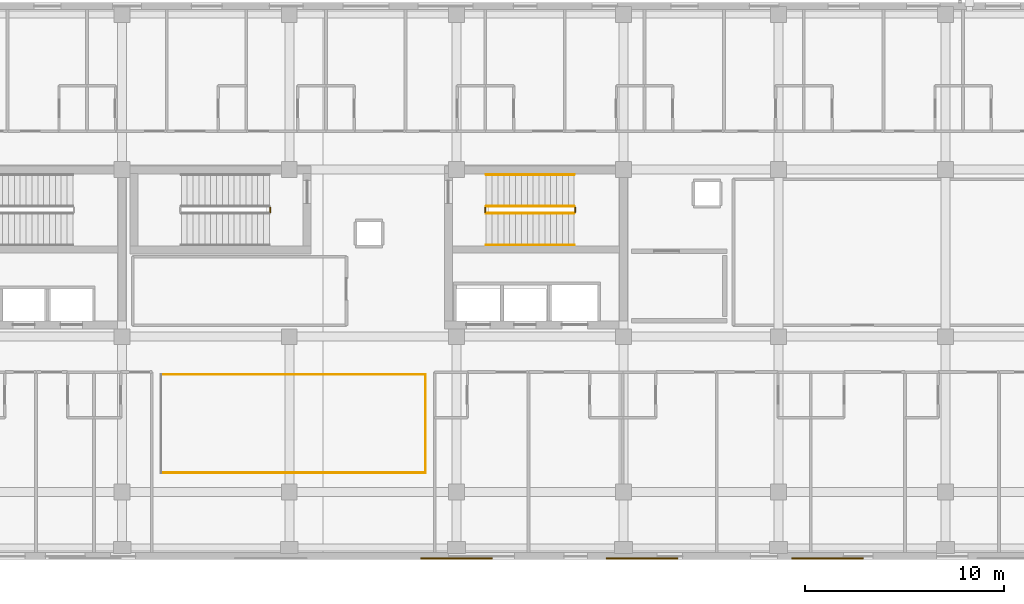
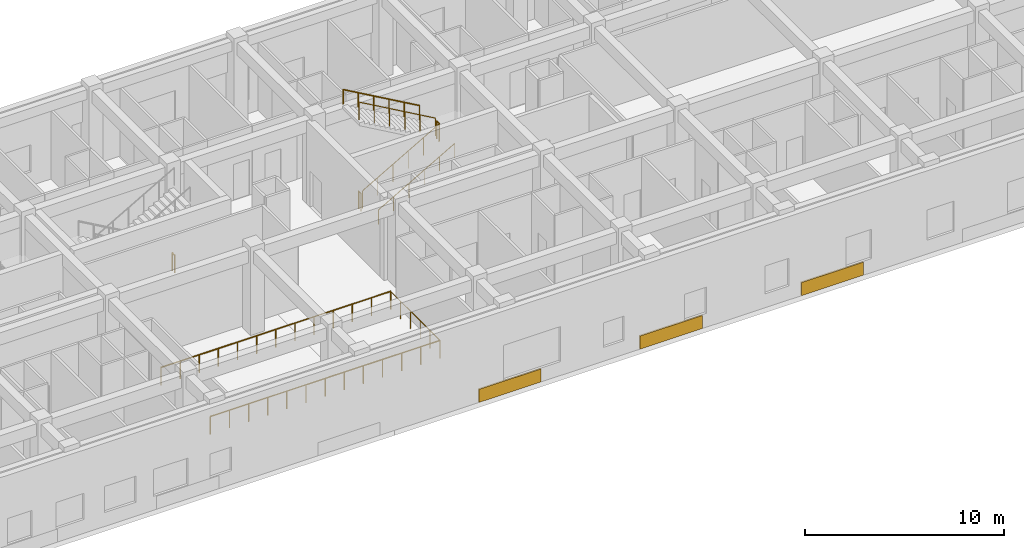
# One storey, part 125 of 139: 10 railings, 3 coverings.
"""IFC4 building model written with IfcOpenShell, lengths in metres."""

from ifc_helpers import new_model, si_unit, direction, frame, origin, origin_2d, place, context, subcontext, project, spatial, rectangle, circle, extrude, material, layer, layer_set, type_object, element, save


model = new_model("IFC4")

# Units and contexts
model_context = context("Model", 3, precision=1e-05, world=origin(), true_north=direction((0.0, 1.0)))
body_context = subcontext(model_context, "Body", "Model", "MODEL_VIEW")
ifc_project = project(units=[si_unit("LENGTHUNIT", "METRE"), si_unit("AREAUNIT", "SQUARE_METRE"), si_unit("VOLUMEUNIT", "CUBIC_METRE"), si_unit("PLANEANGLEUNIT", "RADIAN"), si_unit("MASSUNIT", "GRAM", prefix="KILO")], contexts=[model_context])

# Site, building, storey
site_placement = place(None, origin())
site = spatial("IfcSite", under=ifc_project, at=site_placement, CompositionType="ELEMENT")
building_placement = place(site_placement, origin())
building = spatial("IfcBuilding", under=site, at=building_placement, Name="Zayran Congress Hotel", CompositionType="ELEMENT")
storey_placement = place(building_placement, frame((0.0, 0.0, 5.39990234375)))
storey = spatial("IfcBuildingStorey", under=building, at=storey_placement, Name="L01", CompositionType="ELEMENT", Elevation=5.39990234375)

# Coverings
ifc_material_1 = material(Name="Ochre geometric bas-relief Hajar Ma'ani stone", Category="masonry")
ifc_layer = layer(ifc_material_1, 0.090087890625)
ifc_layer_set = layer_set([ifc_layer], Name="Ochre geometric bas-relief Hajar Ma'ani stone")
covering_type = type_object("IfcCoveringType", Name="TP-CLD-01", PredefinedType="CLADDING", material=ifc_layer_set)
for number, where, z_axis, x_axis, name in (
    (1, (50.39990234375, 6.044921875, 0.0), (0.0, 0.0, 1.0), (1.0, 0.0, 0.0), "CLD-V5S-L01-4"),
    (2, (59.73291015625, 6.044921875, 0.0), (0.0, 0.0, 1.0), (1.0, 0.0, 0.0), "CLD-V5S-L01-5"),
    (3, (69.06689453125, 6.044921875, 0.0), (0.0, 0.0, 1.0), (1.0, 0.0, 0.0), "CLD-V5S-L01-6"),
):
    element("IfcCovering", number, at=place(storey_placement, frame(where, z_axis=z_axis, x_axis=x_axis)), inside=storey, type_object=covering_type, Name=name, PredefinedType="CLADDING", context=body_context, shape_type="SweptSolid", body=[
        extrude(rectangle(XDim=3.60009765625, YDim=0.090087890625, at=origin_2d()), origin(), (0.0, 0.0, 1.0), 0.800048828125),
    ])

# Railings
ifc_material_2 = material(Name="Painted steel balustrade", Category="steel")
railing_type_1 = type_object("IfcRailingType", Name="TP-GRD-INT", PredefinedType="GUARDRAIL", material=ifc_material_2)
railing_1_placement = place(storey_placement, frame((51.89990234375, 23.409912109375, 0.1689453125)))
element("IfcRailing", 4, at=railing_1_placement, inside=storey, type_object=railing_type_1, Name="L01 ST-02 stair guard 1", PredefinedType="GUARDRAIL", context=body_context, shape_type="SweptSolid", body=[
    extrude(circle(Radius=0.02392578125, at=origin_2d()), frame((0.0, 0.0, 1.076171875), z_axis=(0.868019072493, 0.0, 0.49653085482), x_axis=(0.0, 1.0, 0.0)), (0.0, 0.0, 1.0), 5.097900390625),
    extrude(circle(Radius=0.02099609375, at=origin_2d()), origin(), (0.0, 0.0, 1.0), 1.052001953125),
    extrude(circle(Radius=0.02099609375, at=origin_2d()), frame((0.885009765625, 0.0, 0.50634765625)), (0.0, 0.0, 1.0), 1.052001953125),
    extrude(circle(Radius=0.02099609375, at=origin_2d()), frame((1.77001953125, 0.0, 1.012451171875)), (0.0, 0.0, 1.0), 1.052001953125),
    extrude(circle(Radius=0.02099609375, at=origin_2d()), frame((2.655029296875, 0.0, 1.518798828125)), (0.0, 0.0, 1.0), 1.052001953125),
    extrude(circle(Radius=0.02099609375, at=origin_2d()), frame((3.5400390625, 0.0, 2.02490234375)), (0.0, 0.0, 1.0), 1.052001953125),
    extrude(circle(Radius=0.02099609375, at=origin_2d()), frame((4.425048828125, 0.0, 2.53125)), (0.0, 0.0, 1.0), 1.052001953125),
])
railing_2_placement = place(storey_placement, frame((56.375, 23.4599609375, 2.7001953125)))
element("IfcRailing", 5, at=railing_2_placement, inside=storey, type_object=railing_type_1, Name="L01 ST-02 stair guard 2", PredefinedType="GUARDRAIL", context=body_context, shape_type="SweptSolid", body=[
    extrude(circle(Radius=0.02392578125, at=origin_2d()), frame((0.0, 0.0, 1.076171875), z_axis=(0.0, 1.0, 0.0), x_axis=(-1.0, 0.0, 0.0)), (0.0, 0.0, 1.0), 0.239990234375),
    extrude(circle(Radius=0.02099609375, at=origin_2d()), origin(), (0.0, 0.0, 1.0), 1.052001953125),
    extrude(circle(Radius=0.02099609375, at=origin_2d()), frame((0.0, 0.239990234375, 0.0)), (0.0, 0.0, 1.0), 1.052001953125),
])
railing_3_placement = place(storey_placement, frame((56.324951171875, 23.75, 2.868896484375)))
element("IfcRailing", 6, at=railing_3_placement, inside=storey, type_object=railing_type_1, Name="L01 ST-02 stair guard 3", PredefinedType="GUARDRAIL", context=body_context, shape_type="SweptSolid", body=[
    extrude(circle(Radius=0.02392578125, at=origin_2d()), frame((0.0, 0.0, 1.076171875), z_axis=(-0.868019072493, 0.0, 0.49653085482), x_axis=(0.0, -1.0, 0.0)), (0.0, 0.0, 1.0), 5.097900390625),
    extrude(circle(Radius=0.02099609375, at=origin_2d()), origin(), (0.0, 0.0, 1.0), 1.052001953125),
    extrude(circle(Radius=0.02099609375, at=origin_2d()), frame((-0.885009765625, 0.0, 0.50634765625)), (0.0, 0.0, 1.0), 1.052001953125),
    extrude(circle(Radius=0.02099609375, at=origin_2d()), frame((-1.77001953125, 0.0, 1.012451171875)), (0.0, 0.0, 1.0), 1.052001953125),
    extrude(circle(Radius=0.02099609375, at=origin_2d()), frame((-2.655029296875, 0.0, 1.518798828125)), (0.0, 0.0, 1.0), 1.052001953125),
    extrude(circle(Radius=0.02099609375, at=origin_2d()), frame((-3.5400390625, 0.0, 2.02490234375)), (0.0, 0.0, 1.0), 1.052001953125),
    extrude(circle(Radius=0.02099609375, at=origin_2d()), frame((-4.425048828125, 0.0, 2.53125)), (0.0, 0.0, 1.0), 1.052001953125),
])
railing_4_placement = place(storey_placement, frame((51.85009765625, 23.4599609375, 0.0)))
element("IfcRailing", 7, at=railing_4_placement, inside=storey, type_object=railing_type_1, Name="L01 ST-02 stair guard 4", PredefinedType="GUARDRAIL", context=body_context, shape_type="SweptSolid", body=[
    extrude(circle(Radius=0.02392578125, at=origin_2d()), frame((0.0, 0.0, 1.076171875), z_axis=(0.0, 1.0, 0.0), x_axis=(-1.0, 0.0, 0.0)), (0.0, 0.0, 1.0), 0.239990234375),
    extrude(circle(Radius=0.02099609375, at=origin_2d()), origin(), (0.0, 0.0, 1.0), 1.052001953125),
    extrude(circle(Radius=0.02099609375, at=origin_2d()), frame((0.0, 0.239990234375, 0.0)), (0.0, 0.0, 1.0), 1.052001953125),
])
railing_5_placement = place(storey_placement, frame((41.050048828125, 23.699951171875, 0.0)))
element("IfcRailing", 8, at=railing_5_placement, inside=storey, type_object=railing_type_1, Name="L01 ST-13 stair guard 4", PredefinedType="GUARDRAIL", context=body_context, shape_type="SweptSolid", body=[
    extrude(circle(Radius=0.02392578125, at=origin_2d()), frame((0.0, 0.0, 1.076171875), z_axis=(0.0, -1.0, 0.0), x_axis=(1.0, 0.0, 0.0)), (0.0, 0.0, 1.0), 0.239990234375),
    extrude(circle(Radius=0.02099609375, at=origin_2d()), origin(), (0.0, 0.0, 1.0), 1.052001953125),
    extrude(circle(Radius=0.02099609375, at=origin_2d()), frame((0.0, -0.239990234375, 0.0)), (0.0, 0.0, 1.0), 1.052001953125),
])
railing_6_placement = place(storey_placement, frame((35.550048828125, 10.35009765625, 0.0)))
element("IfcRailing", 9, at=railing_6_placement, inside=storey, type_object=railing_type_1, Name="V5 L01 Interior Void Guardrail V5-L01-LOB-S", PredefinedType="GUARDRAIL", context=body_context, shape_type="SweptSolid", body=[
    extrude(circle(Radius=0.02392578125, at=origin_2d()), frame((0.0, 0.0, 1.076171875), z_axis=(1.0, 0.0, 0.0), x_axis=(0.0, 1.0, 0.0)), (0.0, 0.0, 1.0), 13.300048828125),
    extrude(circle(Radius=0.02099609375, at=origin_2d()), origin(), (0.0, 0.0, 1.0), 1.052001953125),
    extrude(circle(Radius=0.02099609375, at=origin_2d()), frame((1.1083984375, 0.0, 0.0)), (0.0, 0.0, 1.0), 1.052001953125),
    extrude(circle(Radius=0.02099609375, at=origin_2d()), frame((2.216796875, 0.0, 0.0)), (0.0, 0.0, 1.0), 1.052001953125),
    extrude(circle(Radius=0.02099609375, at=origin_2d()), frame((3.324951171875, 0.0, 0.0)), (0.0, 0.0, 1.0), 1.052001953125),
    extrude(circle(Radius=0.02099609375, at=origin_2d()), frame((4.433349609375, 0.0, 0.0)), (0.0, 0.0, 1.0), 1.052001953125),
    extrude(circle(Radius=0.02099609375, at=origin_2d()), frame((5.541748046875, 0.0, 0.0)), (0.0, 0.0, 1.0), 1.052001953125),
    extrude(circle(Radius=0.02099609375, at=origin_2d()), frame((6.64990234375, 0.0, 0.0)), (0.0, 0.0, 1.0), 1.052001953125),
    extrude(circle(Radius=0.02099609375, at=origin_2d()), frame((7.75830078125, 0.0, 0.0)), (0.0, 0.0, 1.0), 1.052001953125),
    extrude(circle(Radius=0.02099609375, at=origin_2d()), frame((8.86669921875, 0.0, 0.0)), (0.0, 0.0, 1.0), 1.052001953125),
    extrude(circle(Radius=0.02099609375, at=origin_2d()), frame((9.97509765625, 0.0, 0.0)), (0.0, 0.0, 1.0), 1.052001953125),
    extrude(circle(Radius=0.02099609375, at=origin_2d()), frame((11.08349609375, 0.0, 0.0)), (0.0, 0.0, 1.0), 1.052001953125),
    extrude(circle(Radius=0.02099609375, at=origin_2d()), frame((12.191650390625, 0.0, 0.0)), (0.0, 0.0, 1.0), 1.052001953125),
    extrude(circle(Radius=0.02099609375, at=origin_2d()), frame((13.300048828125, 0.0, 0.0)), (0.0, 0.0, 1.0), 1.052001953125),
])
railing_7_placement = place(storey_placement, frame((48.85009765625, 10.35009765625, 0.0)))
element("IfcRailing", 10, at=railing_7_placement, inside=storey, type_object=railing_type_1, Name="V5 L01 Interior Void Guardrail V5-L01-LOB-E", PredefinedType="GUARDRAIL", context=body_context, shape_type="SweptSolid", body=[
    extrude(circle(Radius=0.02392578125, at=origin_2d()), frame((0.0, 0.0, 1.076171875), z_axis=(0.0, 1.0, 0.0), x_axis=(-1.0, 0.0, 0.0)), (0.0, 0.0, 1.0), 4.949951171875),
    extrude(circle(Radius=0.02099609375, at=origin_2d()), origin(), (0.0, 0.0, 1.0), 1.052001953125),
    extrude(circle(Radius=0.02099609375, at=origin_2d()), frame((0.0, 0.989990234375, 0.0)), (0.0, 0.0, 1.0), 1.052001953125),
    extrude(circle(Radius=0.02099609375, at=origin_2d()), frame((0.0, 1.97998046875, 0.0)), (0.0, 0.0, 1.0), 1.052001953125),
    extrude(circle(Radius=0.02099609375, at=origin_2d()), frame((0.0, 2.969970703125, 0.0)), (0.0, 0.0, 1.0), 1.052001953125),
    extrude(circle(Radius=0.02099609375, at=origin_2d()), frame((0.0, 3.9599609375, 0.0)), (0.0, 0.0, 1.0), 1.052001953125),
    extrude(circle(Radius=0.02099609375, at=origin_2d()), frame((0.0, 4.949951171875, 0.0)), (0.0, 0.0, 1.0), 1.052001953125),
])
railing_8_placement = place(storey_placement, frame((48.85009765625, 15.300048828125, 0.0)))
element("IfcRailing", 11, at=railing_8_placement, inside=storey, type_object=railing_type_1, Name="V5 L01 Interior Void Guardrail V5-L01-LOB-N", PredefinedType="GUARDRAIL", context=body_context, shape_type="SweptSolid", body=[
    extrude(circle(Radius=0.02392578125, at=origin_2d()), frame((0.0, 0.0, 1.076171875), z_axis=(-1.0, 0.0, 0.0), x_axis=(0.0, -1.0, 0.0)), (0.0, 0.0, 1.0), 13.300048828125),
    extrude(circle(Radius=0.02099609375, at=origin_2d()), origin(), (0.0, 0.0, 1.0), 1.052001953125),
    extrude(circle(Radius=0.02099609375, at=origin_2d()), frame((-1.1083984375, 0.0, 0.0)), (0.0, 0.0, 1.0), 1.052001953125),
    extrude(circle(Radius=0.02099609375, at=origin_2d()), frame((-2.216796875, 0.0, 0.0)), (0.0, 0.0, 1.0), 1.052001953125),
    extrude(circle(Radius=0.02099609375, at=origin_2d()), frame((-3.324951171875, 0.0, 0.0)), (0.0, 0.0, 1.0), 1.052001953125),
    extrude(circle(Radius=0.02099609375, at=origin_2d()), frame((-4.433349609375, 0.0, 0.0)), (0.0, 0.0, 1.0), 1.052001953125),
    extrude(circle(Radius=0.02099609375, at=origin_2d()), frame((-5.541748046875, 0.0, 0.0)), (0.0, 0.0, 1.0), 1.052001953125),
    extrude(circle(Radius=0.02099609375, at=origin_2d()), frame((-6.64990234375, 0.0, 0.0)), (0.0, 0.0, 1.0), 1.052001953125),
    extrude(circle(Radius=0.02099609375, at=origin_2d()), frame((-7.75830078125, 0.0, 0.0)), (0.0, 0.0, 1.0), 1.052001953125),
    extrude(circle(Radius=0.02099609375, at=origin_2d()), frame((-8.86669921875, 0.0, 0.0)), (0.0, 0.0, 1.0), 1.052001953125),
    extrude(circle(Radius=0.02099609375, at=origin_2d()), frame((-9.97509765625, 0.0, 0.0)), (0.0, 0.0, 1.0), 1.052001953125),
    extrude(circle(Radius=0.02099609375, at=origin_2d()), frame((-11.08349609375, 0.0, 0.0)), (0.0, 0.0, 1.0), 1.052001953125),
    extrude(circle(Radius=0.02099609375, at=origin_2d()), frame((-12.191650390625, 0.0, 0.0)), (0.0, 0.0, 1.0), 1.052001953125),
    extrude(circle(Radius=0.02099609375, at=origin_2d()), frame((-13.300048828125, 0.0, 0.0)), (0.0, 0.0, 1.0), 1.052001953125),
])
ifc_material_3 = material(Name="Brushed stainless steel handrail", Category="steel")
railing_type_2 = type_object("IfcRailingType", Name="TP-HND-STR", PredefinedType="HANDRAIL", material=ifc_material_3)
railing_9_placement = place(storey_placement, frame((51.89990234375, 21.81005859375, 0.1689453125)))
element("IfcRailing", 12, at=railing_9_placement, inside=storey, type_object=railing_type_2, Name="L01 ST-02 stair handrail 1", PredefinedType="HANDRAIL", context=body_context, shape_type="SweptSolid", body=[
    extrude(circle(Radius=0.02392578125, at=origin_2d()), frame((0.0, 0.0, 0.8759765625), z_axis=(0.868019072493, 0.0, 0.49653085482), x_axis=(0.0, 1.0, 0.0)), (0.0, 0.0, 1.0), 5.097900390625),
    extrude(circle(Radius=0.02099609375, at=origin_2d()), origin(), (0.0, 0.0, 1.0), 0.851806640625),
    extrude(circle(Radius=0.02099609375, at=origin_2d()), frame((0.885009765625, 0.0, 0.50634765625)), (0.0, 0.0, 1.0), 0.851806640625),
    extrude(circle(Radius=0.02099609375, at=origin_2d()), frame((1.77001953125, 0.0, 1.012451171875)), (0.0, 0.0, 1.0), 0.851806640625),
    extrude(circle(Radius=0.02099609375, at=origin_2d()), frame((2.655029296875, 0.0, 1.518798828125)), (0.0, 0.0, 1.0), 0.851806640625),
    extrude(circle(Radius=0.02099609375, at=origin_2d()), frame((3.5400390625, 0.0, 2.02490234375)), (0.0, 0.0, 1.0), 0.851806640625),
    extrude(circle(Radius=0.02099609375, at=origin_2d()), frame((4.425048828125, 0.0, 2.53125)), (0.0, 0.0, 1.0), 0.851806640625),
])
railing_10_placement = place(storey_placement, frame((56.324951171875, 25.35009765625, 2.868896484375)))
element("IfcRailing", 13, at=railing_10_placement, inside=storey, type_object=railing_type_2, Name="L01 ST-02 stair handrail 2", PredefinedType="HANDRAIL", context=body_context, shape_type="SweptSolid", body=[
    extrude(circle(Radius=0.02392578125, at=origin_2d()), frame((0.0, 0.0, 0.8759765625), z_axis=(-0.868019072493, 0.0, 0.49653085482), x_axis=(0.0, -1.0, 0.0)), (0.0, 0.0, 1.0), 5.097900390625),
    extrude(circle(Radius=0.02099609375, at=origin_2d()), origin(), (0.0, 0.0, 1.0), 0.851806640625),
    extrude(circle(Radius=0.02099609375, at=origin_2d()), frame((-0.885009765625, 0.0, 0.50634765625)), (0.0, 0.0, 1.0), 0.851806640625),
    extrude(circle(Radius=0.02099609375, at=origin_2d()), frame((-1.77001953125, 0.0, 1.012451171875)), (0.0, 0.0, 1.0), 0.851806640625),
    extrude(circle(Radius=0.02099609375, at=origin_2d()), frame((-2.655029296875, 0.0, 1.518798828125)), (0.0, 0.0, 1.0), 0.851806640625),
    extrude(circle(Radius=0.02099609375, at=origin_2d()), frame((-3.5400390625, 0.0, 2.02490234375)), (0.0, 0.0, 1.0), 0.851806640625),
    extrude(circle(Radius=0.02099609375, at=origin_2d()), frame((-4.425048828125, 0.0, 2.53125)), (0.0, 0.0, 1.0), 0.851806640625),
])

save(model, "model.ifc")
